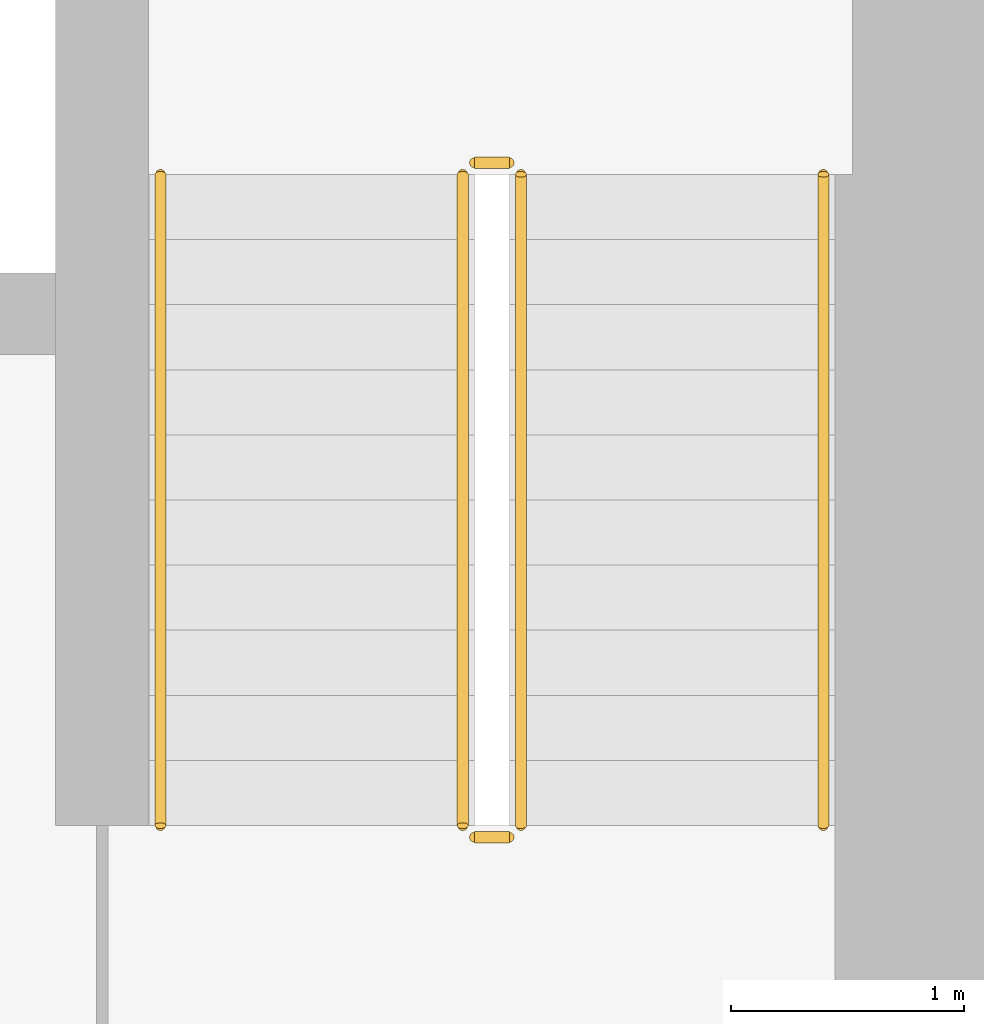
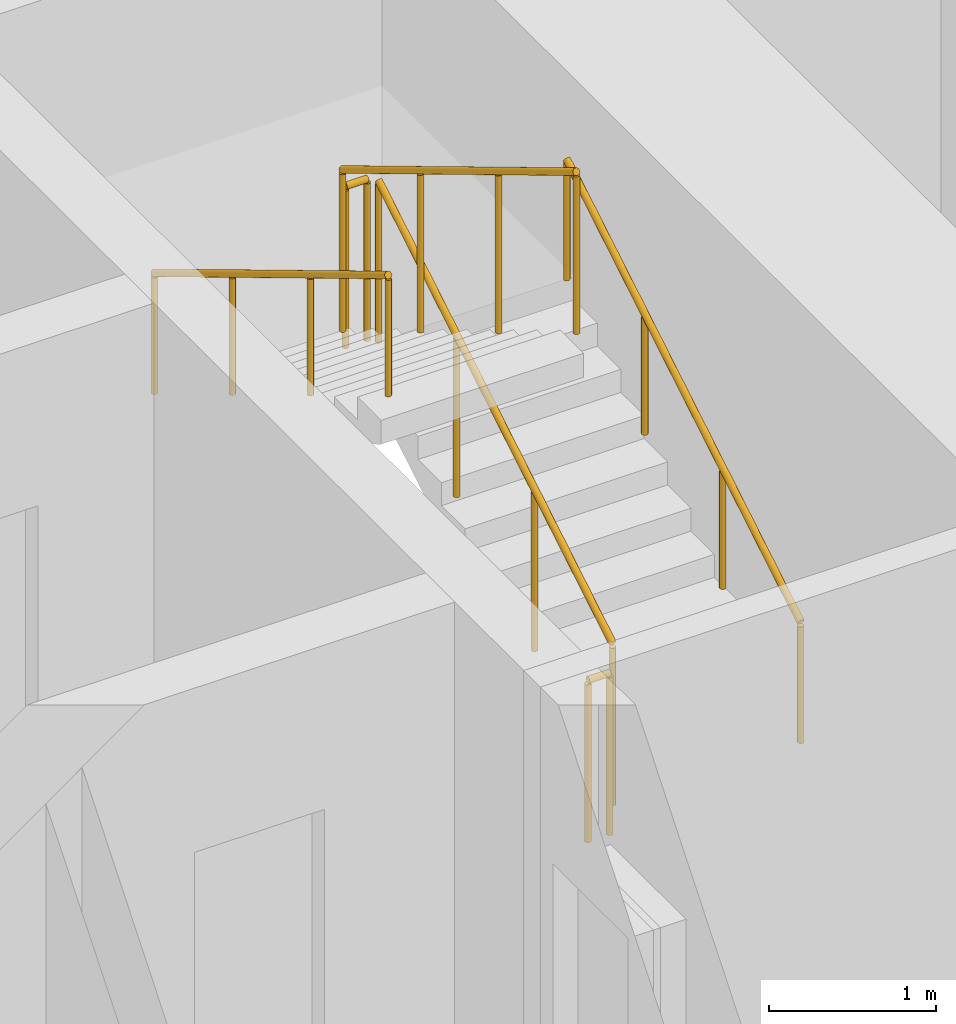
# One storey, part 23 of 24: 6 railings.
"""IFC4 building model written with IfcOpenShell, lengths in metres."""

import ifcopenshell
import ifcopenshell.guid

model = None  # the IFC model being written
_history = None  # IfcOwnerHistory: only IFC2X3 demands one
_inside = {}  # id of a spatial element -> (the spatial element, [elements in it])
_under = {}  # id of a project, library or spatial element -> (it, [spatial elements below it])
_declared = {}  # id of a project -> (the project, [libraries it declares])
_typed = {}  # id of a type object -> (the type object, [elements of that type])
_made_of = {}  # id of a material, layer set ... -> (it, [elements and type objects made of it])


def new_model(schema):
    """Start an empty IFC model of exactly this schema.

    Asked for "IFC4X3", IfcOpenShell would pick the latest addendum, in which some entities
    have other attributes; the version numbers below select the first issue.
    IFC2X3 requires an IfcOwnerHistory on every rooted entity: one is made here for all.
    """
    global model, _history
    if schema == "IFC4X3":
        model = ifcopenshell.file(schema_version=(4, 3, 0, 0))
    else:
        model = ifcopenshell.file(schema=schema)
    _inside.clear()
    _under.clear()
    _declared.clear()
    _typed.clear()
    _made_of.clear()
    _history = None
    if model.schema == "IFC2X3":
        org = make("IfcOrganization", Name="unknown")
        user = make(
            "IfcPersonAndOrganization",
            ThePerson=make("IfcPerson", FamilyName="unknown"),
            TheOrganization=org,
        )
        app = make(
            "IfcApplication",
            ApplicationDeveloper=org,
            Version="unknown",
            ApplicationFullName="unknown",
            ApplicationIdentifier="unknown",
        )
        _history = make(
            "IfcOwnerHistory",
            OwningUser=user,
            OwningApplication=app,
            ChangeAction="ADDED",
            CreationDate=0,
        )
    return model


def make(cls, **values):
    """One entity of the class cls with the attributes given. An attribute that is None is left unset."""
    return model.create_entity(
        cls, **{name: value for name, value in values.items() if value is not None}
    )


def rooted(cls, **values):
    """An entity with a GlobalId (a new one), such as an element, a storey or a relation."""
    return make(cls, GlobalId=ifcopenshell.guid.new(), OwnerHistory=_history, **values)


def si_unit(unit_type, name, prefix=None):
    """IfcSIUnit, for example si_unit("LENGTHUNIT", "METRE", prefix="MILLI")."""
    return make("IfcSIUnit", UnitType=unit_type, Prefix=prefix, Name=name)


def assignment(units):
    """IfcUnitAssignment: the units of a project."""
    return None if units is None else make("IfcUnitAssignment", Units=units)


def point(xyz):
    """IfcCartesianPoint."""
    return None if xyz is None else make("IfcCartesianPoint", Coordinates=xyz)


def direction(xyz):
    """IfcDirection."""
    return None if xyz is None else make("IfcDirection", DirectionRatios=xyz)


def frame(location, z_axis=None, x_axis=None):
    """IfcAxis2Placement3D, a coordinate frame: its origin and axes. An axis left out is left unset."""
    return make(
        "IfcAxis2Placement3D",
        Location=point(location),
        Axis=direction(z_axis),
        RefDirection=direction(x_axis),
    )


def frame_2d(location, x_axis=None):
    """IfcAxis2Placement2D, a coordinate frame in the plane: its origin and x axis."""
    return make(
        "IfcAxis2Placement2D", Location=point(location), RefDirection=direction(x_axis)
    )


def origin():
    """The frame at (0, 0, 0) with its axes left unset."""
    return frame((0.0, 0.0, 0.0))


def origin_2d():
    """The frame at (0, 0) in the plane with its x axis left unset."""
    return frame_2d((0.0, 0.0))


def place(relative_to, where):
    """IfcLocalPlacement: puts the frame where relative to a parent placement (None: the world)."""
    return make(
        "IfcLocalPlacement", PlacementRelTo=relative_to, RelativePlacement=where
    )


def context(
    kind, dimensions, precision=None, world=None, true_north=None, identifier=None
):
    """IfcGeometricRepresentationContext, for example the 3D "Model" context."""
    return make(
        "IfcGeometricRepresentationContext",
        ContextIdentifier=identifier,
        ContextType=kind,
        CoordinateSpaceDimension=dimensions,
        Precision=precision,
        WorldCoordinateSystem=world,
        TrueNorth=true_north,
    )


def subcontext(parent, identifier, kind, view, scale=None):
    """IfcGeometricRepresentationSubContext, for example "Body" below "Model"."""
    return make(
        "IfcGeometricRepresentationSubContext",
        ContextIdentifier=identifier,
        ContextType=kind,
        ParentContext=parent,
        TargetScale=scale,
        TargetView=view,
    )


def project(units=None, contexts=None):
    """IfcProject with its units and contexts."""
    return rooted(
        "IfcProject",
        Name="project",
        RepresentationContexts=contexts,
        UnitsInContext=assignment(units),
    )


def spatial(cls, under=None, at=None, **own):
    """A site, building, storey or space (cls), placed at a placement, below another one or the project."""
    s = rooted(cls, ObjectPlacement=at, **own)
    if under is not None:
        _under.setdefault(under.id(), (under, []))[1].append(s)
    return s


def profile(cls, at=None, kind="AREA", **sizes):
    """A parametric profile (cls). Its sizes go by their IFC names, for example OverallWidth=200.0."""
    return make(cls, ProfileType=kind, Position=at, **sizes)


def circle(**sizes):
    """IfcCircleProfileDef."""
    return profile("IfcCircleProfileDef", **sizes)


def extrude(swept, where, along, depth):
    """IfcExtrudedAreaSolid: the profile swept, set in the frame where, extruded along a direction by depth."""
    return make(
        "IfcExtrudedAreaSolid",
        SweptArea=swept,
        Position=where,
        ExtrudedDirection=direction(along),
        Depth=depth,
    )


def shape(context_of_items, identifier, shape_type, items):
    """IfcShapeRepresentation: the items that make up one representation, for example the "Body"."""
    return make(
        "IfcShapeRepresentation",
        ContextOfItems=context_of_items,
        RepresentationIdentifier=identifier,
        RepresentationType=shape_type,
        Items=items,
    )


def material(Name=None, Category=None):
    """IfcMaterial."""
    return make("IfcMaterial", Name=Name, Category=Category)


def made_of(thing, what):
    """Note that an element or type object is made of a material, layer set ...; save() writes the relation."""
    if what is not None:
        _made_of.setdefault(what.id(), (what, []))[1].append(thing)
    return thing


def type_object(cls, material=None, **own):
    """A type object (cls), such as IfcWallType, which elements share."""
    return made_of(rooted(cls, **own), material)


def element(
    cls,
    number,
    at=None,
    inside=None,
    cuts=None,
    type_object=None,
    material=None,
    context=None,
    identifier="Body",
    shape_type=None,
    held_by="IfcProductDefinitionShape",
    body=None,
    shapes=None,
    **own,
):
    """One element of the class cls, such as IfcWall. Its Tag is "e" and its number.

    at: its placement. inside: the storey or other place that contains it. cuts: it is an
    opening in that element (IfcRelVoidsElement). A single representation is given by context,
    identifier, shape_type and body (its items); several are given by shapes. held_by: the class
    of the entity that holds the representations. save() writes the other relations.
    """
    e = rooted(cls, Tag="e%d" % number, ObjectPlacement=at, **own)
    if body is not None:
        shapes = [shape(context, identifier, shape_type, body)]
    if shapes is not None:
        e.Representation = make(held_by, Representations=shapes)
    if inside is not None:
        _inside.setdefault(inside.id(), (inside, []))[1].append(e)
    if cuts is not None:
        rooted(
            "IfcRelVoidsElement", RelatingBuildingElement=cuts, RelatedOpeningElement=e
        )
    if type_object is not None:
        _typed.setdefault(type_object.id(), (type_object, []))[1].append(e)
    return made_of(e, material)


def aggregate(whole, parts):
    """IfcRelAggregates: a whole, such as a stair, and the parts it consists of."""
    return rooted("IfcRelAggregates", RelatingObject=whole, RelatedObjects=parts)


def save(model, path):
    """Write the relations noted so far, then the file.

    IfcRelAggregates (storeys below a building ...), IfcRelContainedInSpatialStructure (elements
    in a storey), IfcRelDefinesByType, IfcRelAssociatesMaterial and IfcRelDeclares: one each for
    every whole, place, type object, material and project.
    """
    for whole, parts in _under.values():
        aggregate(whole, parts)
    for where, things in _inside.values():
        rooted(
            "IfcRelContainedInSpatialStructure",
            RelatedElements=things,
            RelatingStructure=where,
        )
    for kind, things in _typed.values():
        rooted("IfcRelDefinesByType", RelatedObjects=things, RelatingType=kind)
    for what, things in _made_of.values():
        rooted("IfcRelAssociatesMaterial", RelatedObjects=things, RelatingMaterial=what)
    for by, libraries in _declared.values():
        rooted("IfcRelDeclares", RelatingContext=by, RelatedDefinitions=libraries)
    model.write(path)


model = new_model("IFC4")

# Units and contexts
model_context = context("Model", 3, precision=1e-05, world=origin(), true_north=direction((0.0, 1.0)))
body_context = subcontext(model_context, "Body", "Model", "MODEL_VIEW")
ifc_project = project(units=[si_unit("LENGTHUNIT", "METRE"), si_unit("AREAUNIT", "SQUARE_METRE"), si_unit("VOLUMEUNIT", "CUBIC_METRE"), si_unit("PLANEANGLEUNIT", "RADIAN"), si_unit("MASSUNIT", "GRAM", prefix="KILO")], contexts=[model_context])

# Site, building, storey
site_placement = place(None, origin())
site = spatial("IfcSite", under=ifc_project, at=site_placement, CompositionType="ELEMENT")
building_placement = place(site_placement, origin())
building = spatial("IfcBuilding", under=site, at=building_placement, Name="Dongbaek Canopy Tower", CompositionType="ELEMENT")
storey_placement = place(building_placement, frame((0.0, 0.0, 47.699951171875)))
storey = spatial("IfcBuildingStorey", under=building, at=storey_placement, Name="L07", CompositionType="ELEMENT", Elevation=47.699951171875)

# Railings
ifc_material_1 = material(Name="Stainless steel tube and balusters", Category="steel")
railing_type_1 = type_object("IfcRailingType", Name="Stair guard 1200", PredefinedType="GUARDRAIL", material=ifc_material_1)
railing_1_placement = place(storey_placement, frame((11.449951171875, 4.699951171875, 0.168212890625)))
element("IfcRailing", 1, at=railing_1_placement, inside=storey, type_object=railing_type_1, Name="L07 ST-A stair guard 1", PredefinedType="GUARDRAIL", context=body_context, shape_type="SweptSolid", body=[
    extrude(circle(Radius=0.02392578125, at=origin_2d()), frame((0.0, 0.0, 1.17578125), z_axis=(0.0, 0.857242210791, 0.514913383045), x_axis=(-1.0, 0.0, 0.0)), (0.0, 0.0, 1.0), 3.266357421875),
    extrude(circle(Radius=0.02099609375, at=origin_2d()), origin(), (0.0, 0.0, 1.0), 1.15185546875),
    extrude(circle(Radius=0.02099609375, at=origin_2d()), frame((0.0, 0.933349609375, 0.560546875)), (0.0, 0.0, 1.0), 1.15185546875),
    extrude(circle(Radius=0.02099609375, at=origin_2d()), frame((0.0, 1.86669921875, 1.121337890625)), (0.0, 0.0, 1.0), 1.15185546875),
    extrude(circle(Radius=0.02099609375, at=origin_2d()), frame((0.0, 2.800048828125, 1.681884765625)), (0.0, 0.0, 1.0), 1.15185546875),
])
railing_2_placement = place(storey_placement, frame((11.39990234375, 7.550048828125, 1.85009765625)))
element("IfcRailing", 2, at=railing_2_placement, inside=storey, type_object=railing_type_1, Name="L07 ST-A stair guard 2", PredefinedType="GUARDRAIL", context=body_context, shape_type="SweptSolid", body=[
    extrude(circle(Radius=0.02392578125, at=origin_2d()), frame((0.0, 0.0, 1.17578125), z_axis=(-1.0, 0.0, 0.0), x_axis=(0.0, -1.0, 0.0)), (0.0, 0.0, 1.0), 0.14990234375),
    extrude(circle(Radius=0.02099609375, at=origin_2d()), origin(), (0.0, 0.0, 1.0), 1.15185546875),
    extrude(circle(Radius=0.02099609375, at=origin_2d()), frame((-0.14990234375, 0.0, 0.0)), (0.0, 0.0, 1.0), 1.15185546875),
])
railing_3_placement = place(storey_placement, frame((11.199951171875, 7.5, 2.018310546875)))
element("IfcRailing", 3, at=railing_3_placement, inside=storey, type_object=railing_type_1, Name="L07 ST-A stair guard 3", PredefinedType="GUARDRAIL", context=body_context, shape_type="SweptSolid", body=[
    extrude(circle(Radius=0.02392578125, at=origin_2d()), frame((0.0, 0.0, 1.17578125), z_axis=(0.0, -0.857275202839, 0.514858452973), x_axis=(1.0, 0.0, 0.0)), (0.0, 0.0, 1.0), 3.26611328125),
    extrude(circle(Radius=0.02099609375, at=origin_2d()), origin(), (0.0, 0.0, 1.0), 1.15185546875),
    extrude(circle(Radius=0.02099609375, at=origin_2d()), frame((0.0, -0.933349609375, 0.560546875)), (0.0, 0.0, 1.0), 1.15185546875),
    extrude(circle(Radius=0.02099609375, at=origin_2d()), frame((0.0, -1.86669921875, 1.12109375)), (0.0, 0.0, 1.0), 1.15185546875),
    extrude(circle(Radius=0.02099609375, at=origin_2d()), frame((0.0, -2.800048828125, 1.681640625)), (0.0, 0.0, 1.0), 1.15185546875),
])
railing_4_placement = place(storey_placement, frame((11.39990234375, 4.64990234375, 0.0)))
element("IfcRailing", 4, at=railing_4_placement, inside=storey, type_object=railing_type_1, Name="L07 ST-A stair guard 4", PredefinedType="GUARDRAIL", context=body_context, shape_type="SweptSolid", body=[
    extrude(circle(Radius=0.02392578125, at=origin_2d()), frame((0.0, 0.0, 1.17578125), z_axis=(-1.0, 0.0, 0.0), x_axis=(0.0, -1.0, 0.0)), (0.0, 0.0, 1.0), 0.14990234375),
    extrude(circle(Radius=0.02099609375, at=origin_2d()), origin(), (0.0, 0.0, 1.0), 1.15185546875),
    extrude(circle(Radius=0.02099609375, at=origin_2d()), frame((-0.14990234375, 0.0, 0.0)), (0.0, 0.0, 1.0), 1.15185546875),
])
ifc_material_2 = material(Name="Stainless steel tube", Category="steel")
railing_type_2 = type_object("IfcRailingType", Name="Stair handrail 900", PredefinedType="HANDRAIL", material=ifc_material_2)
railing_5_placement = place(storey_placement, frame((12.75, 4.699951171875, 0.168212890625)))
element("IfcRailing", 5, at=railing_5_placement, inside=storey, type_object=railing_type_2, Name="L07 ST-A stair handrail 1", PredefinedType="HANDRAIL", context=body_context, shape_type="SweptSolid", body=[
    extrude(circle(Radius=0.02392578125, at=origin_2d()), frame((0.0, 0.0, 0.8759765625), z_axis=(0.0, 0.857242210791, 0.514913383045), x_axis=(-1.0, 0.0, 0.0)), (0.0, 0.0, 1.0), 3.266357421875),
    extrude(circle(Radius=0.02099609375, at=origin_2d()), origin(), (0.0, 0.0, 1.0), 0.851806640625),
    extrude(circle(Radius=0.02099609375, at=origin_2d()), frame((0.0, 0.933349609375, 0.560546875)), (0.0, 0.0, 1.0), 0.851806640625),
    extrude(circle(Radius=0.02099609375, at=origin_2d()), frame((0.0, 1.86669921875, 1.121337890625)), (0.0, 0.0, 1.0), 0.851806640625),
    extrude(circle(Radius=0.02099609375, at=origin_2d()), frame((0.0, 2.800048828125, 1.681884765625)), (0.0, 0.0, 1.0), 0.851806640625),
])
railing_6_placement = place(storey_placement, frame((9.89990234375, 7.5, 2.018310546875)))
element("IfcRailing", 6, at=railing_6_placement, inside=storey, type_object=railing_type_2, Name="L07 ST-A stair handrail 2", PredefinedType="HANDRAIL", context=body_context, shape_type="SweptSolid", body=[
    extrude(circle(Radius=0.02392578125, at=origin_2d()), frame((0.0, 0.0, 0.8759765625), z_axis=(0.0, -0.857275202839, 0.514858452973), x_axis=(1.0, 0.0, 0.0)), (0.0, 0.0, 1.0), 3.26611328125),
    extrude(circle(Radius=0.02099609375, at=origin_2d()), origin(), (0.0, 0.0, 1.0), 0.851806640625),
    extrude(circle(Radius=0.02099609375, at=origin_2d()), frame((0.0, -0.933349609375, 0.560546875)), (0.0, 0.0, 1.0), 0.851806640625),
    extrude(circle(Radius=0.02099609375, at=origin_2d()), frame((0.0, -1.86669921875, 1.12109375)), (0.0, 0.0, 1.0), 0.851806640625),
    extrude(circle(Radius=0.02099609375, at=origin_2d()), frame((0.0, -2.800048828125, 1.681640625)), (0.0, 0.0, 1.0), 0.851806640625),
])

save(model, "model.ifc")
